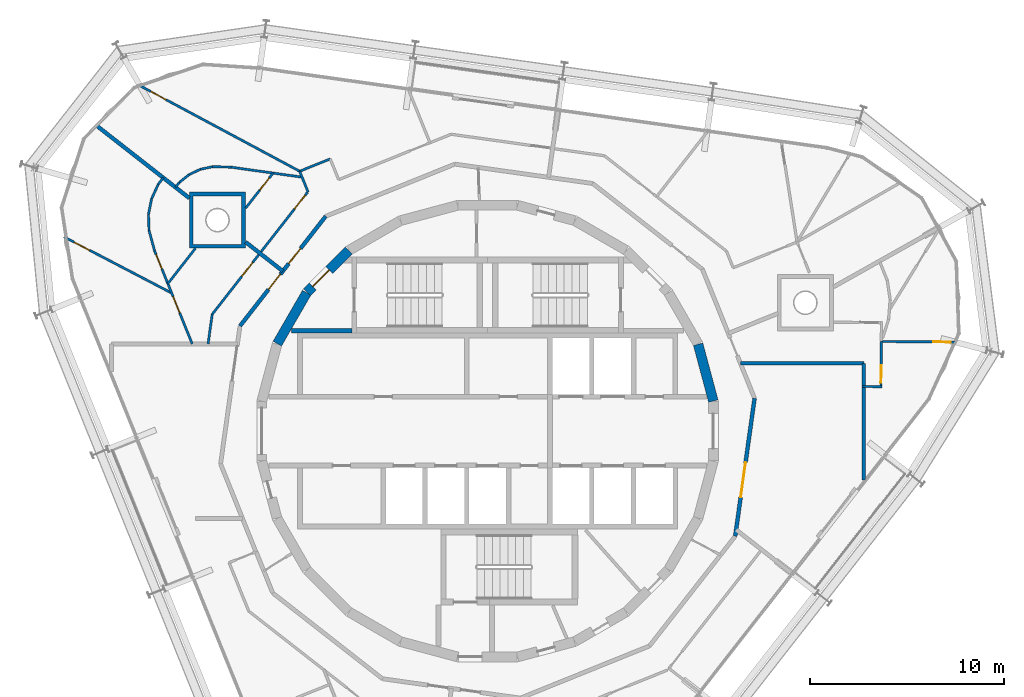
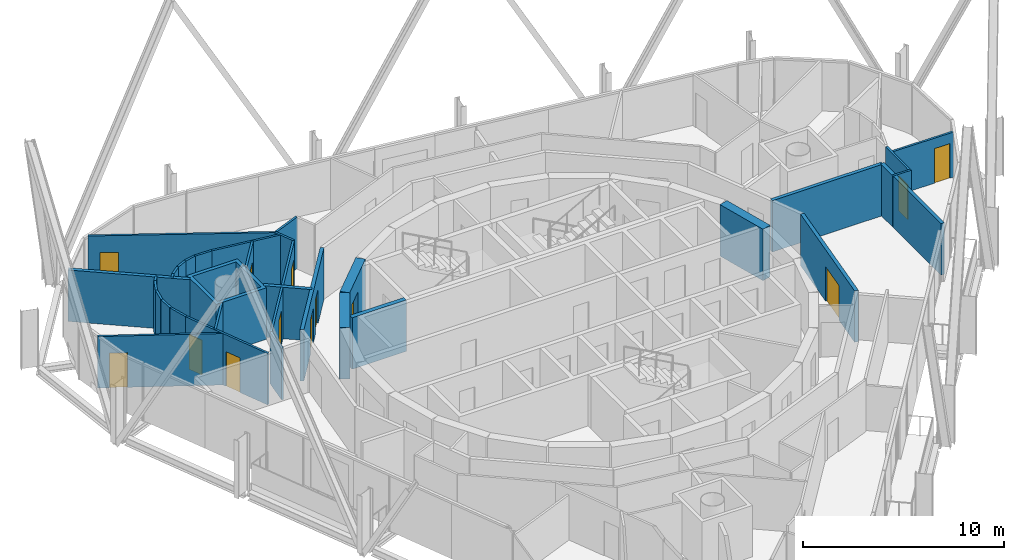
# One storey, part 12 of 15: 34 walls, 13 doors, 13 openings.
"""IFC4 building model written with IfcOpenShell, lengths in metres."""

import ifcopenshell
import ifcopenshell.guid

model = None  # the IFC model being written
_history = None  # IfcOwnerHistory: only IFC2X3 demands one
_inside = {}  # id of a spatial element -> (the spatial element, [elements in it])
_under = {}  # id of a project, library or spatial element -> (it, [spatial elements below it])
_declared = {}  # id of a project -> (the project, [libraries it declares])
_typed = {}  # id of a type object -> (the type object, [elements of that type])
_made_of = {}  # id of a material, layer set ... -> (it, [elements and type objects made of it])


def new_model(schema):
    """Start an empty IFC model of exactly this schema.

    Asked for "IFC4X3", IfcOpenShell would pick the latest addendum, in which some entities
    have other attributes; the version numbers below select the first issue.
    IFC2X3 requires an IfcOwnerHistory on every rooted entity: one is made here for all.
    """
    global model, _history
    if schema == "IFC4X3":
        model = ifcopenshell.file(schema_version=(4, 3, 0, 0))
    else:
        model = ifcopenshell.file(schema=schema)
    _inside.clear()
    _under.clear()
    _declared.clear()
    _typed.clear()
    _made_of.clear()
    _history = None
    if model.schema == "IFC2X3":
        org = make("IfcOrganization", Name="unknown")
        user = make(
            "IfcPersonAndOrganization",
            ThePerson=make("IfcPerson", FamilyName="unknown"),
            TheOrganization=org,
        )
        app = make(
            "IfcApplication",
            ApplicationDeveloper=org,
            Version="unknown",
            ApplicationFullName="unknown",
            ApplicationIdentifier="unknown",
        )
        _history = make(
            "IfcOwnerHistory",
            OwningUser=user,
            OwningApplication=app,
            ChangeAction="ADDED",
            CreationDate=0,
        )
    return model


def make(cls, **values):
    """One entity of the class cls with the attributes given. An attribute that is None is left unset."""
    return model.create_entity(
        cls, **{name: value for name, value in values.items() if value is not None}
    )


def rooted(cls, **values):
    """An entity with a GlobalId (a new one), such as an element, a storey or a relation."""
    return make(cls, GlobalId=ifcopenshell.guid.new(), OwnerHistory=_history, **values)


def si_unit(unit_type, name, prefix=None):
    """IfcSIUnit, for example si_unit("LENGTHUNIT", "METRE", prefix="MILLI")."""
    return make("IfcSIUnit", UnitType=unit_type, Prefix=prefix, Name=name)


def assignment(units):
    """IfcUnitAssignment: the units of a project."""
    return None if units is None else make("IfcUnitAssignment", Units=units)


def point(xyz):
    """IfcCartesianPoint."""
    return None if xyz is None else make("IfcCartesianPoint", Coordinates=xyz)


def direction(xyz):
    """IfcDirection."""
    return None if xyz is None else make("IfcDirection", DirectionRatios=xyz)


def frame(location, z_axis=None, x_axis=None):
    """IfcAxis2Placement3D, a coordinate frame: its origin and axes. An axis left out is left unset."""
    return make(
        "IfcAxis2Placement3D",
        Location=point(location),
        Axis=direction(z_axis),
        RefDirection=direction(x_axis),
    )


def frame_2d(location, x_axis=None):
    """IfcAxis2Placement2D, a coordinate frame in the plane: its origin and x axis."""
    return make(
        "IfcAxis2Placement2D", Location=point(location), RefDirection=direction(x_axis)
    )


def origin():
    """The frame at (0, 0, 0) with its axes left unset."""
    return frame((0.0, 0.0, 0.0))


def place(relative_to, where):
    """IfcLocalPlacement: puts the frame where relative to a parent placement (None: the world)."""
    return make(
        "IfcLocalPlacement", PlacementRelTo=relative_to, RelativePlacement=where
    )


def context(
    kind, dimensions, precision=None, world=None, true_north=None, identifier=None
):
    """IfcGeometricRepresentationContext, for example the 3D "Model" context."""
    return make(
        "IfcGeometricRepresentationContext",
        ContextIdentifier=identifier,
        ContextType=kind,
        CoordinateSpaceDimension=dimensions,
        Precision=precision,
        WorldCoordinateSystem=world,
        TrueNorth=true_north,
    )


def subcontext(parent, identifier, kind, view, scale=None):
    """IfcGeometricRepresentationSubContext, for example "Body" below "Model"."""
    return make(
        "IfcGeometricRepresentationSubContext",
        ContextIdentifier=identifier,
        ContextType=kind,
        ParentContext=parent,
        TargetScale=scale,
        TargetView=view,
    )


def project(units=None, contexts=None):
    """IfcProject with its units and contexts."""
    return rooted(
        "IfcProject",
        Name="project",
        RepresentationContexts=contexts,
        UnitsInContext=assignment(units),
    )


def spatial(cls, under=None, at=None, **own):
    """A site, building, storey or space (cls), placed at a placement, below another one or the project."""
    s = rooted(cls, ObjectPlacement=at, **own)
    if under is not None:
        _under.setdefault(under.id(), (under, []))[1].append(s)
    return s


def polyline(points):
    """IfcPolyline through the points."""
    return make("IfcPolyline", Points=[point(p) for p in points])


def profile(cls, at=None, kind="AREA", **sizes):
    """A parametric profile (cls). Its sizes go by their IFC names, for example OverallWidth=200.0."""
    return make(cls, ProfileType=kind, Position=at, **sizes)


def rectangle(**sizes):
    """IfcRectangleProfileDef."""
    return profile("IfcRectangleProfileDef", **sizes)


def outline(outer, holes=None, kind="AREA"):
    """IfcArbitraryClosedProfileDef: a profile drawn as a closed curve; with holes, ...WithVoids."""
    if holes is None:
        return make("IfcArbitraryClosedProfileDef", ProfileType=kind, OuterCurve=outer)
    return make(
        "IfcArbitraryProfileDefWithVoids",
        ProfileType=kind,
        OuterCurve=outer,
        InnerCurves=holes,
    )


def extrude(swept, where, along, depth):
    """IfcExtrudedAreaSolid: the profile swept, set in the frame where, extruded along a direction by depth."""
    return make(
        "IfcExtrudedAreaSolid",
        SweptArea=swept,
        Position=where,
        ExtrudedDirection=direction(along),
        Depth=depth,
    )


def shape(context_of_items, identifier, shape_type, items):
    """IfcShapeRepresentation: the items that make up one representation, for example the "Body"."""
    return make(
        "IfcShapeRepresentation",
        ContextOfItems=context_of_items,
        RepresentationIdentifier=identifier,
        RepresentationType=shape_type,
        Items=items,
    )


def material(Name=None, Category=None):
    """IfcMaterial."""
    return make("IfcMaterial", Name=Name, Category=Category)


def layer(
    of_material, thickness, ventilated=None, Name=None, Category=None, Priority=None
):
    """IfcMaterialLayer: one layer of a wall or slab, of a material (None: an air gap)."""
    return make(
        "IfcMaterialLayer",
        Material=of_material,
        LayerThickness=thickness,
        IsVentilated=ventilated,
        Name=Name,
        Category=Category,
        Priority=Priority,
    )


def layer_set(layers, Name=None):
    """IfcMaterialLayerSet."""
    return make("IfcMaterialLayerSet", MaterialLayers=layers, LayerSetName=Name)


def made_of(thing, what):
    """Note that an element or type object is made of a material, layer set ...; save() writes the relation."""
    if what is not None:
        _made_of.setdefault(what.id(), (what, []))[1].append(thing)
    return thing


def type_object(cls, material=None, **own):
    """A type object (cls), such as IfcWallType, which elements share."""
    return made_of(rooted(cls, **own), material)


def element(
    cls,
    number,
    at=None,
    inside=None,
    cuts=None,
    type_object=None,
    material=None,
    context=None,
    identifier="Body",
    shape_type=None,
    held_by="IfcProductDefinitionShape",
    body=None,
    shapes=None,
    **own,
):
    """One element of the class cls, such as IfcWall. Its Tag is "e" and its number.

    at: its placement. inside: the storey or other place that contains it. cuts: it is an
    opening in that element (IfcRelVoidsElement). A single representation is given by context,
    identifier, shape_type and body (its items); several are given by shapes. held_by: the class
    of the entity that holds the representations. save() writes the other relations.
    """
    e = rooted(cls, Tag="e%d" % number, ObjectPlacement=at, **own)
    if body is not None:
        shapes = [shape(context, identifier, shape_type, body)]
    if shapes is not None:
        e.Representation = make(held_by, Representations=shapes)
    if inside is not None:
        _inside.setdefault(inside.id(), (inside, []))[1].append(e)
    if cuts is not None:
        rooted(
            "IfcRelVoidsElement", RelatingBuildingElement=cuts, RelatedOpeningElement=e
        )
    if type_object is not None:
        _typed.setdefault(type_object.id(), (type_object, []))[1].append(e)
    return made_of(e, material)


def fill(opening, filler):
    """IfcRelFillsElement: the door or window that sits in an opening."""
    return rooted(
        "IfcRelFillsElement",
        RelatingOpeningElement=opening,
        RelatedBuildingElement=filler,
    )


def aggregate(whole, parts):
    """IfcRelAggregates: a whole, such as a stair, and the parts it consists of."""
    return rooted("IfcRelAggregates", RelatingObject=whole, RelatedObjects=parts)


def save(model, path):
    """Write the relations noted so far, then the file.

    IfcRelAggregates (storeys below a building ...), IfcRelContainedInSpatialStructure (elements
    in a storey), IfcRelDefinesByType, IfcRelAssociatesMaterial and IfcRelDeclares: one each for
    every whole, place, type object, material and project.
    """
    for whole, parts in _under.values():
        aggregate(whole, parts)
    for where, things in _inside.values():
        rooted(
            "IfcRelContainedInSpatialStructure",
            RelatedElements=things,
            RelatingStructure=where,
        )
    for kind, things in _typed.values():
        rooted("IfcRelDefinesByType", RelatedObjects=things, RelatingType=kind)
    for what, things in _made_of.values():
        rooted("IfcRelAssociatesMaterial", RelatedObjects=things, RelatingMaterial=what)
    for by, libraries in _declared.values():
        rooted("IfcRelDeclares", RelatingContext=by, RelatedDefinitions=libraries)
    model.write(path)


model = new_model("IFC4")

# Units and contexts
model_context = context("Model", 3, precision=1e-05, world=origin(), true_north=direction((0.0, 1.0)))
body_context = subcontext(model_context, "Body", "Model", "MODEL_VIEW")
ifc_project = project(units=[si_unit("LENGTHUNIT", "METRE"), si_unit("AREAUNIT", "SQUARE_METRE"), si_unit("VOLUMEUNIT", "CUBIC_METRE"), si_unit("PLANEANGLEUNIT", "RADIAN"), si_unit("MASSUNIT", "GRAM", prefix="KILO")], contexts=[model_context])

# Site, building, storey
site_placement = place(None, origin())
site = spatial("IfcSite", under=ifc_project, at=site_placement, CompositionType="ELEMENT")
building_placement = place(site_placement, origin())
building = spatial("IfcBuilding", under=site, at=building_placement, Name="Spindle Arch Residences", CompositionType="ELEMENT")
storey_placement = place(building_placement, frame((0.0, 0.0, 347.0)))
storey = spatial("IfcBuildingStorey", under=building, at=storey_placement, Name="L89", CompositionType="ELEMENT", Elevation=347.0)

# Wall
ifc_material_1 = material(Name="Concrete C50/60", Category="concrete")
ifc_layer_1 = layer(ifc_material_1, 0.5)
ifc_layer_set_1 = layer_set([ifc_layer_1], Name="Core outline wall 500")
wall_type_1 = type_object("IfcWallType", Name="Core outline wall 500", PredefinedType="SHEAR", material=ifc_layer_set_1)
wall_1_placement = place(storey_placement, frame((11.642822265625, 1.5498046875, 0.0), z_axis=(0.0, 0.0, 1.0), x_axis=(-0.258734743916, 0.965948410781, 0.0)))
element("IfcWall", 1, at=wall_1_placement, inside=storey, type_object=wall_type_1, Name="Core outline wall 7", PredefinedType="SHEAR", context=body_context, shape_type="SweptSolid", body=[
    extrude(rectangle(XDim=3.03271484375, YDim=0.5, at=frame_2d((1.516357421875, 0.0))), origin(), (0.0, 0.0, 1.0), 3.1201171875),
])

# Wall, opening, door
wall_2_placement = place(storey_placement, frame((-7.163818359375, 9.30810546875, 0.0), z_axis=(0.0, 0.0, 1.0), x_axis=(-0.707106781187, -0.707106781187, 0.0)))
wall_2 = element("IfcWall", 2, at=wall_2_placement, inside=storey, type_object=wall_type_1, Name="Core outline wall 15", PredefinedType="SHEAR", context=body_context, shape_type="SweptSolid", body=[
    extrude(rectangle(XDim=3.032470703125, YDim=0.5, at=frame_2d((1.51611328125, 0.0))), origin(), (0.0, 0.0, 1.0), 3.1201171875),
])
opening_1_placement = place(wall_2_placement, frame((1.416259765625, 0.0, 0.0)))
opening_1 = element("IfcOpeningElement", 3, at=opening_1_placement, cuts=wall_2, Name="Opening R9B0-AD02", PredefinedType="OPENING", context=body_context, shape_type="SweptSolid", body=[
    extrude(rectangle(XDim=1.199951171875, YDim=2.10009765625, at=frame_2d((0.60009765625, 1.050048828125))), frame((0.0, 0.260009765625, 0.0), z_axis=(0.0, -1.0, 0.0), x_axis=(1.0, 0.0, 0.0)), (0.0, 0.0, 1.0), 0.52001953125),
])
ifc_material_2 = material(Name="Steel, fire-resisting door", Category="steel")
door_type_1 = type_object("IfcDoorType", Name="Stair airlock door 1200x2100", OperationType="SINGLE_SWING_LEFT", PredefinedType="DOOR", material=ifc_material_2)
door_1_placement = place(opening_1_placement, origin())
door_1 = element("IfcDoor", 4, at=door_1_placement, inside=storey, type_object=door_type_1, Name="Stair airlock door R9B0-AD02", OperationType="SINGLE_SWING_RIGHT", OverallHeight=2.10009765625, OverallWidth=1.199951171875, PredefinedType="DOOR", context=body_context, shape_type="SweptSolid", body=[
    extrude(rectangle(XDim=1.199951171875, YDim=2.10009765625, at=frame_2d((0.60009765625, 1.050048828125))), frame((0.0, 0.02490234375, 0.0), z_axis=(0.0, -1.0, 0.0), x_axis=(1.0, 0.0, 0.0)), (0.0, 0.0, 1.0), 0.050048828125),
])
fill(opening_1, door_1)

# Wall
wall_3_placement = place(storey_placement, frame((-9.32861328125, 7.13671875, 0.0), z_axis=(0.0, 0.0, 1.0), x_axis=(-0.500087131594, -0.865975092491, 0.0)))
element("IfcWall", 5, at=wall_3_placement, inside=storey, type_object=wall_type_1, Name="Core outline wall 16", PredefinedType="SHEAR", context=body_context, shape_type="SweptSolid", body=[
    extrude(rectangle(XDim=3.03271484375, YDim=0.5, at=frame_2d((1.516357421875, 0.0))), origin(), (0.0, 0.0, 1.0), 3.1201171875),
])

# Wall, openings, doors
ifc_material_3 = material(Name="Calcium silicate block, plastered")
ifc_layer_2 = layer(ifc_material_3, 0.199951171875)
ifc_layer_set_2 = layer_set([ifc_layer_2], Name="Corridor wall 200")
wall_type_2 = type_object("IfcWallType", Name="Corridor wall 200", PredefinedType="STANDARD", material=ifc_layer_set_2)
wall_4_placement = place(storey_placement, frame((-8.348876953125, 11.0791015625, 0.0), z_axis=(0.0, 0.0, 1.0), x_axis=(-0.615669112324, -0.78800478687, 0.0)))
wall_4 = element("IfcWall", 6, at=wall_4_placement, inside=storey, type_object=wall_type_2, Name="Corridor wall R9B0-W012", PredefinedType="STANDARD", context=body_context, shape_type="SweptSolid", body=[
    extrude(rectangle(XDim=7.18115234375, YDim=0.199951171875, at=frame_2d((3.590576171875, 0.0))), origin(), (0.0, 0.0, 1.0), 3.1201171875),
])
opening_2_placement = place(wall_4_placement, frame((2.10009765625, 0.0, 0.0)))
opening_2 = element("IfcOpeningElement", 7, at=opening_2_placement, cuts=wall_4, Name="Opening R9B0-FD03", PredefinedType="OPENING", context=body_context, shape_type="SweptSolid", body=[
    extrude(rectangle(XDim=1.0, YDim=2.10009765625, at=frame_2d((0.5, 1.050048828125))), frame((0.0, 0.10986328125, 0.0), z_axis=(0.0, -1.0, 0.0), x_axis=(1.0, 0.0, 0.0)), (0.0, 0.0, 1.0), 0.219970703125),
])
opening_3_placement = place(wall_4_placement, frame((3.790283203125, 0.0, 0.0)))
opening_3 = element("IfcOpeningElement", 8, at=opening_3_placement, cuts=wall_4, Name="Opening R9B0-FD04", PredefinedType="OPENING", context=body_context, shape_type="SweptSolid", body=[
    extrude(rectangle(XDim=1.0, YDim=2.10009765625, at=frame_2d((0.5, 1.050048828125))), frame((0.0, 0.10986328125, 0.0), z_axis=(0.0, -1.0, 0.0), x_axis=(1.0, 0.0, 0.0)), (0.0, 0.0, 1.0), 0.219970703125),
])
ifc_material_4 = material(Name="Timber, fire-resisting door set", Category="wood")
door_type_2 = type_object("IfcDoorType", Name="Flat entrance door 1000x2100", OperationType="NOTDEFINED", PredefinedType="DOOR", material=ifc_material_4)
door_2_placement = place(opening_2_placement, origin())
door_2 = element("IfcDoor", 9, at=door_2_placement, inside=storey, type_object=door_type_2, Name="Flat entrance door R9B0-FD03", OperationType="SINGLE_SWING_RIGHT", OverallHeight=2.10009765625, OverallWidth=1.0, PredefinedType="DOOR", context=body_context, shape_type="SweptSolid", body=[
    extrude(rectangle(XDim=1.0, YDim=2.10009765625, at=frame_2d((0.5, 1.050048828125))), frame((0.0, 0.02490234375, 0.0), z_axis=(0.0, -1.0, 0.0), x_axis=(1.0, 0.0, 0.0)), (0.0, 0.0, 1.0), 0.050048828125),
])
fill(opening_2, door_2)
door_3_placement = place(opening_3_placement, origin())
door_3 = element("IfcDoor", 10, at=door_3_placement, inside=storey, type_object=door_type_2, Name="Flat entrance door R9B0-FD04", OperationType="SINGLE_SWING_LEFT", OverallHeight=2.10009765625, OverallWidth=1.0, PredefinedType="DOOR", context=body_context, shape_type="SweptSolid", body=[
    extrude(rectangle(XDim=1.0, YDim=2.10009765625, at=frame_2d((0.5, 1.050048828125))), frame((0.0, 0.02490234375, 0.0), z_axis=(0.0, -1.0, 0.0), x_axis=(1.0, 0.0, 0.0)), (0.0, 0.0, 1.0), 0.050048828125),
])
fill(opening_3, door_3)

# Wall, opening, door
ifc_material_5 = material(Name="Calcium silicate block, plastered")
ifc_layer_3 = layer(ifc_material_5, 0.199951171875)
ifc_layer_set_3 = layer_set([ifc_layer_3], Name="Fire-lift lobby bay wall 200")
wall_type_3 = type_object("IfcWallType", Name="Fire-lift lobby bay wall 200", PredefinedType="STANDARD", material=ifc_layer_set_3)
wall_5_placement = place(storey_placement, frame((12.77001953125, -5.42041015625, 0.0), z_axis=(0.0, 0.0, 1.0), x_axis=(0.139155334385, 0.990270565508, 0.0)))
wall_5 = element("IfcWall", 11, at=wall_5_placement, inside=storey, type_object=wall_type_3, Name="Fire-lift lobby bay wall R9B0-W004", PredefinedType="STANDARD", context=body_context, shape_type="SweptSolid", body=[
    extrude(rectangle(XDim=7.180908203125, YDim=0.199951171875, at=frame_2d((3.59033203125, 0.0))), origin(), (0.0, 0.0, 1.0), 3.1201171875),
])
opening_4_placement = place(wall_5_placement, frame((2.039306640625, 0.0, 0.0)))
opening_4 = element("IfcOpeningElement", 12, at=opening_4_placement, cuts=wall_5, Name="Opening R9B0-FB01", PredefinedType="OPENING", context=body_context, shape_type="SweptSolid", body=[
    extrude(rectangle(XDim=1.800048828125, YDim=2.10009765625, at=frame_2d((0.89990234375, 1.050048828125))), frame((0.0, 0.10986328125, 0.0), z_axis=(0.0, -1.0, 0.0), x_axis=(1.0, 0.0, 0.0)), (0.0, 0.0, 1.0), 0.219970703125),
])
ifc_material_6 = material(Name="Steel, fire-resisting door", Category="steel")
door_type_3 = type_object("IfcDoorType", Name="Fire-lift lobby bay door 1800x2100", OperationType="NOTDEFINED", PredefinedType="DOOR", material=ifc_material_6)
door_4_placement = place(opening_4_placement, origin())
door_4 = element("IfcDoor", 13, at=door_4_placement, inside=storey, type_object=door_type_3, Name="Fire-lift lobby bay door R9B0-FB01", OperationType="DOUBLE_DOOR_SINGLE_SWING", OverallHeight=2.10009765625, OverallWidth=1.800048828125, PredefinedType="DOOR", context=body_context, shape_type="SweptSolid", body=[
    extrude(rectangle(XDim=1.800048828125, YDim=2.10009765625, at=frame_2d((0.89990234375, 1.050048828125))), frame((0.0, 0.02490234375, 0.0), z_axis=(0.0, -1.0, 0.0), x_axis=(1.0, 0.0, 0.0)), (0.0, 0.0, 1.0), 0.050048828125),
])
fill(opening_4, door_4)

# Walls
wall_6_placement = place(storey_placement, frame((19.39990234375, -2.519287109375, 0.0), z_axis=(0.0, 0.0, 1.0), x_axis=(0.0, 1.0, 0.0)))
element("IfcWall", 14, at=wall_6_placement, inside=storey, type_object=wall_type_3, Name="Fire-lift lobby bay wall R9B0-W020", PredefinedType="STANDARD", context=body_context, shape_type="SweptSolid", body=[
    extrude(rectangle(XDim=6.019287109375, YDim=0.199951171875, at=frame_2d((3.009765625, 0.0))), origin(), (0.0, 0.0, 1.0), 3.1201171875),
])
wall_7_placement = place(storey_placement, frame((19.39990234375, 3.5, 0.0), z_axis=(0.0, 0.0, 1.0), x_axis=(-1.0, 0.0, 0.0)))
element("IfcWall", 15, at=wall_7_placement, inside=storey, type_object=wall_type_3, Name="Fire-lift lobby bay wall R9B0-W021", PredefinedType="STANDARD", context=body_context, shape_type="SweptSolid", body=[
    extrude(rectangle(XDim=6.361572265625, YDim=0.199951171875, at=frame_2d((3.1806640625, 0.0))), origin(), (0.0, 0.0, 1.0), 3.1201171875),
])
ifc_material_7 = material(Name="Plasterboard on steel studs", Category="steel")
ifc_layer_4 = layer(ifc_material_7, 0.1201171875)
ifc_layer_set_4 = layer_set([ifc_layer_4], Name="Flat partition 120")
wall_type_4 = type_object("IfcWallType", Name="Flat partition 120", PredefinedType="PARTITIONING", material=ifc_layer_set_4)
wall_8_placement = place(storey_placement, frame((19.300048828125, 2.302001953125, 0.0), z_axis=(0.0, 0.0, 1.0), x_axis=(0.999958506341, -0.009109643015, 0.0)))
element("IfcWall", 16, at=wall_8_placement, inside=storey, type_object=wall_type_4, Name="Flat partition R9B0-W031", PredefinedType="PARTITIONING", context=body_context, shape_type="SweptSolid", body=[
    extrude(rectangle(XDim=1.045166015625, YDim=0.1201171875, at=frame_2d((0.5224609375, 0.0))), origin(), (0.0, 0.0, 1.0), 3.1201171875),
])

# Wall, opening, door
wall_9_placement = place(storey_placement, frame((20.285400390625, 2.29296875, 0.0), z_axis=(0.0, 0.0, 1.0), x_axis=(0.008900171034, 0.999960392693, 0.0)))
wall_9 = element("IfcWall", 17, at=wall_9_placement, inside=storey, type_object=wall_type_4, Name="Flat partition R9B0-W032", PredefinedType="PARTITIONING", context=body_context, shape_type="SweptSolid", body=[
    extrude(rectangle(XDim=2.33154296875, YDim=0.1201171875, at=frame_2d((1.165771484375, 0.0))), origin(), (0.0, 0.0, 1.0), 3.1201171875),
])
opening_5_placement = place(wall_9_placement, frame((0.199951171875, 0.0, 0.0)))
opening_5 = element("IfcOpeningElement", 18, at=opening_5_placement, cuts=wall_9, Name="Opening R9B0-ID01", PredefinedType="OPENING", context=body_context, shape_type="SweptSolid", body=[
    extrude(rectangle(XDim=0.89990234375, YDim=2.10009765625, at=frame_2d((0.449951171875, 1.050048828125))), frame((0.0, 0.070068359375, 0.0), z_axis=(0.0, -1.0, 0.0), x_axis=(1.0, 0.0, 0.0)), (0.0, 0.0, 1.0), 0.14013671875),
])
ifc_material_8 = material(Name="Timber door set", Category="wood")
door_type_4 = type_object("IfcDoorType", Name="Room door 900x2100", OperationType="NOTDEFINED", PredefinedType="DOOR", material=ifc_material_8)
door_5_placement = place(opening_5_placement, origin())
door_5 = element("IfcDoor", 19, at=door_5_placement, inside=storey, type_object=door_type_4, Name="Room door R9B0-ID01", OperationType="SINGLE_SWING_RIGHT", OverallHeight=2.10009765625, OverallWidth=0.89990234375, PredefinedType="DOOR", context=body_context, shape_type="SweptSolid", body=[
    extrude(rectangle(XDim=0.89990234375, YDim=2.10009765625, at=frame_2d((0.449951171875, 1.050048828125))), frame((0.0, 0.02490234375, 0.0), z_axis=(0.0, -1.0, 0.0), x_axis=(1.0, 0.0, 0.0)), (0.0, 0.0, 1.0), 0.050048828125),
])
fill(opening_5, door_5)

# Walls
wall_10_placement = place(storey_placement, frame((-8.114501953125, 14.03857421875, 0.0), z_axis=(0.0, 0.0, 1.0), x_axis=(-0.927153589835, -0.374681492546, 0.0)))
element("IfcWall", 20, at=wall_10_placement, inside=storey, type_object=wall_type_4, Name="Flat partition R9B0-W052", PredefinedType="PARTITIONING", context=body_context, shape_type="SweptSolid", body=[
    extrude(rectangle(XDim=1.699951171875, YDim=0.1201171875, at=frame_2d((0.85009765625, 0.0))), origin(), (0.0, 0.0, 1.0), 3.1201171875),
])
wall_11_placement = place(storey_placement, frame((-9.690673828125, 13.401611328125, 0.0), z_axis=(0.0, 0.0, 1.0), x_axis=(0.374484003097, -0.927233374844, 0.0)))
element("IfcWall", 21, at=wall_11_placement, inside=storey, type_object=wall_type_4, Name="Flat partition R9B0-W053", PredefinedType="PARTITIONING", context=body_context, shape_type="SweptSolid", body=[
    extrude(rectangle(XDim=1.156005859375, YDim=0.1201171875, at=frame_2d((0.578125, 0.0))), origin(), (0.0, 0.0, 1.0), 3.1201171875),
])

# Wall, openings, doors
wall_12_placement = place(storey_placement, frame((-9.283447265625, 12.3193359375, 0.0), z_axis=(0.0, 0.0, 1.0), x_axis=(-0.61567489546, -0.788000268464, 0.0)))
wall_12 = element("IfcWall", 22, at=wall_12_placement, inside=storey, type_object=wall_type_4, Name="Flat partition R9B0-W054", PredefinedType="PARTITIONING", context=body_context, shape_type="SweptSolid", body=[
    extrude(rectangle(XDim=7.98486328125, YDim=0.1201171875, at=frame_2d((3.992431640625, 0.0))), origin(), (0.0, 0.0, 1.0), 3.1201171875),
])
opening_6_placement = place(wall_12_placement, frame((0.199951171875, 0.0, 0.0)))
opening_6 = element("IfcOpeningElement", 23, at=opening_6_placement, cuts=wall_12, Name="Opening R9B0-ID10", PredefinedType="OPENING", context=body_context, shape_type="SweptSolid", body=[
    extrude(rectangle(XDim=0.89990234375, YDim=2.10009765625, at=frame_2d((0.449951171875, 1.050048828125))), frame((0.0, 0.070068359375, 0.0), z_axis=(0.0, -1.0, 0.0), x_axis=(1.0, 0.0, 0.0)), (0.0, 0.0, 1.0), 0.14013671875),
])
opening_7_placement = place(wall_12_placement, frame((4.59228515625, 0.0, 0.0)))
opening_7 = element("IfcOpeningElement", 24, at=opening_7_placement, cuts=wall_12, Name="Opening R9B0-ID12", PredefinedType="OPENING", context=body_context, shape_type="SweptSolid", body=[
    extrude(rectangle(XDim=0.89990234375, YDim=2.10009765625, at=frame_2d((0.449951171875, 1.050048828125))), frame((0.0, 0.070068359375, 0.0), z_axis=(0.0, -1.0, 0.0), x_axis=(1.0, 0.0, 0.0)), (0.0, 0.0, 1.0), 0.14013671875),
])
door_6_placement = place(opening_6_placement, origin())
door_6 = element("IfcDoor", 25, at=door_6_placement, inside=storey, type_object=door_type_4, Name="Room door R9B0-ID10", OperationType="SINGLE_SWING_RIGHT", OverallHeight=2.10009765625, OverallWidth=0.89990234375, PredefinedType="DOOR", context=body_context, shape_type="SweptSolid", body=[
    extrude(rectangle(XDim=0.89990234375, YDim=2.10009765625, at=frame_2d((0.449951171875, 1.050048828125))), frame((0.0, 0.02490234375, 0.0), z_axis=(0.0, -1.0, 0.0), x_axis=(1.0, 0.0, 0.0)), (0.0, 0.0, 1.0), 0.050048828125),
])
fill(opening_6, door_6)
door_7_placement = place(opening_7_placement, origin())
door_7 = element("IfcDoor", 26, at=door_7_placement, inside=storey, type_object=door_type_4, Name="Room door R9B0-ID12", OperationType="SINGLE_SWING_LEFT", OverallHeight=2.10009765625, OverallWidth=0.89990234375, PredefinedType="DOOR", context=body_context, shape_type="SweptSolid", body=[
    extrude(rectangle(XDim=0.89990234375, YDim=2.10009765625, at=frame_2d((0.449951171875, 1.050048828125))), frame((0.0, 0.02490234375, 0.0), z_axis=(0.0, -1.0, 0.0), x_axis=(1.0, 0.0, 0.0)), (0.0, 0.0, 1.0), 0.050048828125),
])
fill(opening_7, door_7)

# Wall, opening, door
wall_13_placement = place(storey_placement, frame((-17.895751953125, 17.796630859375, 0.0), z_axis=(0.0, 0.0, 1.0), x_axis=(0.88150492406, -0.4721748287, 0.0)))
wall_13 = element("IfcWall", 27, at=wall_13_placement, inside=storey, type_object=wall_type_4, Name="Flat partition R9B0-W056", PredefinedType="PARTITIONING", context=body_context, shape_type="SweptSolid", body=[
    extrude(rectangle(XDim=9.30810546875, YDim=0.1201171875, at=frame_2d((4.654052734375, 0.0))), origin(), (0.0, 0.0, 1.0), 3.1201171875),
])
opening_8_placement = place(wall_13_placement, frame((0.60009765625, 0.0, 0.0)))
opening_8 = element("IfcOpeningElement", 28, at=opening_8_placement, cuts=wall_13, Name="Opening R9B0-ID11", PredefinedType="OPENING", context=body_context, shape_type="SweptSolid", body=[
    extrude(rectangle(XDim=0.89990234375, YDim=2.10009765625, at=frame_2d((0.449951171875, 1.050048828125))), frame((0.0, 0.070068359375, 0.0), z_axis=(0.0, -1.0, 0.0), x_axis=(1.0, 0.0, 0.0)), (0.0, 0.0, 1.0), 0.14013671875),
])
door_8_placement = place(opening_8_placement, origin())
door_8 = element("IfcDoor", 29, at=door_8_placement, inside=storey, type_object=door_type_4, Name="Room door R9B0-ID11", OperationType="SINGLE_SWING_RIGHT", OverallHeight=2.10009765625, OverallWidth=0.89990234375, PredefinedType="DOOR", context=body_context, shape_type="SweptSolid", body=[
    extrude(rectangle(XDim=0.89990234375, YDim=2.10009765625, at=frame_2d((0.449951171875, 1.050048828125))), frame((0.0, 0.02490234375, 0.0), z_axis=(0.0, -1.0, 0.0), x_axis=(1.0, 0.0, 0.0)), (0.0, 0.0, 1.0), 0.050048828125),
])
fill(opening_8, door_8)

wall_14_placement = place(storey_placement, frame((-11.063720703125, 13.3076171875, 0.0), z_axis=(0.0, 0.0, 1.0), x_axis=(-0.615681126827, -0.787995399777, 0.0)))
wall_14 = element("IfcWall", 30, at=wall_14_placement, inside=storey, type_object=wall_type_4, Name="Flat partition R9B0-W057", PredefinedType="PARTITIONING", context=body_context, shape_type="SweptSolid", body=[
    extrude(rectangle(XDim=2.299560546875, YDim=0.1201171875, at=frame_2d((1.14990234375, 0.0))), origin(), (0.0, 0.0, 1.0), 3.1201171875),
])
opening_9_placement = place(wall_14_placement, frame((0.320068359375, 0.0, 0.0)))
opening_9 = element("IfcOpeningElement", 31, at=opening_9_placement, cuts=wall_14, Name="Opening R9B0-BD03", PredefinedType="OPENING", context=body_context, shape_type="SweptSolid", body=[
    extrude(rectangle(XDim=0.800048828125, YDim=2.10009765625, at=frame_2d((0.39990234375, 1.050048828125))), frame((0.0, 0.070068359375, 0.0), z_axis=(0.0, -1.0, 0.0), x_axis=(1.0, 0.0, 0.0)), (0.0, 0.0, 1.0), 0.14013671875),
])
ifc_material_9 = material(Name="Timber door set", Category="wood")
door_type_5 = type_object("IfcDoorType", Name="Bathroom door 800x2100", OperationType="NOTDEFINED", PredefinedType="DOOR", material=ifc_material_9)
door_9_placement = place(opening_9_placement, origin())
door_9 = element("IfcDoor", 32, at=door_9_placement, inside=storey, type_object=door_type_5, Name="Bathroom door R9B0-BD03", OperationType="SINGLE_SWING_RIGHT", OverallHeight=2.10009765625, OverallWidth=0.800048828125, PredefinedType="DOOR", context=body_context, shape_type="SweptSolid", body=[
    extrude(rectangle(XDim=0.800048828125, YDim=2.10009765625, at=frame_2d((0.39990234375, 1.050048828125))), frame((0.0, 0.02490234375, 0.0), z_axis=(0.0, -1.0, 0.0), x_axis=(1.0, 0.0, 0.0)), (0.0, 0.0, 1.0), 0.050048828125),
])
fill(opening_9, door_9)

# Walls
wall_15_placement = place(storey_placement, frame((-9.56787109375, 13.097412109375, 0.0), z_axis=(0.0, 0.0, 1.0), x_axis=(-0.990266931728, 0.13918119099, 0.0)))
element("IfcWall", 33, at=wall_15_placement, inside=storey, type_object=wall_type_4, Name="Flat partition R9B0-W058", PredefinedType="PARTITIONING", context=body_context, shape_type="SweptSolid", body=[
    extrude(rectangle(XDim=3.708251953125, YDim=0.1201171875, at=frame_2d((1.85400390625, 0.0))), origin(), (0.0, 0.0, 1.0), 3.1201171875),
])
wall_16_placement = place(storey_placement, frame((-13.239990234375, 13.613525390625, 0.0), z_axis=(0.0, 0.0, 1.0), x_axis=(-0.999730529074, 0.023213557177, 0.0)))
element("IfcWall", 34, at=wall_16_placement, inside=storey, type_object=wall_type_4, Name="Flat partition R9B0-W059", PredefinedType="PARTITIONING", context=body_context, shape_type="SweptSolid", body=[
    extrude(rectangle(XDim=0.946533203125, YDim=0.1201171875, at=frame_2d((0.47314453125, 0.0))), origin(), (0.0, 0.0, 1.0), 3.1201171875),
])
wall_17_placement = place(storey_placement, frame((-14.186279296875, 13.635498046875, 0.0), z_axis=(0.0, 0.0, 1.0), x_axis=(-0.978217752025, -0.207581380725, 0.0)))
element("IfcWall", 35, at=wall_17_placement, inside=storey, type_object=wall_type_4, Name="Flat partition R9B0-W060", PredefinedType="PARTITIONING", context=body_context, shape_type="SweptSolid", body=[
    extrude(rectangle(XDim=0.64208984375, YDim=0.1201171875, at=frame_2d((0.321044921875, 0.0))), origin(), (0.0, 0.0, 1.0), 3.1201171875),
])
for number, where, z_axis, x_axis, name in (
    (36, (-14.814453125, 13.502197265625, 0.0), (0.0, 0.0, 1.0), (-0.903660381662, -0.428249827337, 0.0), "Flat partition R9B0-W061"),
    (37, (-15.39453125, 13.227294921875, 0.0), (0.0, 0.0, 1.0), (-0.780943026594, -0.624602264816, 0.0), "Flat partition R9B0-W062"),
):
    element("IfcWall", number, at=place(storey_placement, frame(where, z_axis=z_axis, x_axis=x_axis)), inside=storey, type_object=wall_type_4, Name=name, PredefinedType="PARTITIONING", context=body_context, shape_type="SweptSolid", body=[
        extrude(rectangle(XDim=0.641845703125, YDim=0.1201171875, at=frame_2d((0.32080078125, 0.0))), origin(), (0.0, 0.0, 1.0), 3.1201171875),
    ])
wall_18_placement = place(storey_placement, frame((-15.895751953125, 12.826416015625, 0.0), z_axis=(0.0, 0.0, 1.0), x_axis=(-0.615466865985, -0.788162760396, 0.0)))
element("IfcWall", 38, at=wall_18_placement, inside=storey, type_object=wall_type_4, Name="Flat partition R9B0-W063", PredefinedType="PARTITIONING", context=body_context, shape_type="SweptSolid", body=[
    extrude(rectangle(XDim=0.32080078125, YDim=0.1201171875, at=frame_2d((0.160400390625, 0.0))), origin(), (0.0, 0.0, 1.0), 3.1201171875),
])
wall_19_placement = place(storey_placement, frame((-14.199462890625, 6.02734375, 0.0), z_axis=(0.0, 0.0, 1.0), x_axis=(-0.139138413837, -0.990272943079, 0.0)))
element("IfcWall", 39, at=wall_19_placement, inside=storey, type_object=wall_type_4, Name="Flat partition R9B0-W064", PredefinedType="PARTITIONING", context=body_context, shape_type="SweptSolid", body=[
    extrude(rectangle(XDim=1.542236328125, YDim=0.1201171875, at=frame_2d((0.77099609375, 0.0))), origin(), (0.0, 0.0, 1.0), 3.1201171875),
])
wall_20_placement = place(storey_placement, frame((-16.7236328125, 13.066162109375, 0.0), z_axis=(0.0, 0.0, 1.0), x_axis=(-0.615895388651, -0.787827944565, 0.0)))
element("IfcWall", 40, at=wall_20_placement, inside=storey, type_object=wall_type_4, Name="Flat partition R9B0-W065", PredefinedType="PARTITIONING", context=body_context, shape_type="SweptSolid", body=[
    extrude(rectangle(XDim=0.41455078125, YDim=0.1201171875, at=frame_2d((0.207275390625, 0.0))), origin(), (0.0, 0.0, 1.0), 3.1201171875),
])
for number, where, z_axis, x_axis, name in (
    (41, (-16.97900390625, 12.739501953125, 0.0), (0.0, 0.0, 1.0), (-0.417040041866, -0.90888811384, 0.0), "Flat partition R9B0-W066"),
    (42, (-17.32470703125, 11.986083984375, 0.0), (0.0, 0.0, 1.0), (-0.196739117864, -0.980455873307, 0.0), "Flat partition R9B0-W067"),
    (43, (-17.48779296875, 11.17333984375, 0.0), (0.0, 0.0, 1.0), (0.03505065691, -0.999385536943, 0.0), "Flat partition R9B0-W068"),
):
    element("IfcWall", number, at=place(storey_placement, frame(where, z_axis=z_axis, x_axis=x_axis)), inside=storey, type_object=wall_type_4, Name=name, PredefinedType="PARTITIONING", context=body_context, shape_type="SweptSolid", body=[
        extrude(rectangle(XDim=0.828857421875, YDim=0.1201171875, at=frame_2d((0.41455078125, 0.0))), origin(), (0.0, 0.0, 1.0), 3.1201171875),
    ])
wall_21_placement = place(storey_placement, frame((-17.458740234375, 10.344970703125, 0.0), z_axis=(0.0, 0.0, 1.0), x_axis=(0.264409755069, -0.964410432038, 0.0)))
element("IfcWall", 44, at=wall_21_placement, inside=storey, type_object=wall_type_4, Name="Flat partition R9B0-W069", PredefinedType="PARTITIONING", context=body_context, shape_type="SweptSolid", body=[
    extrude(rectangle(XDim=1.086669921875, YDim=0.1201171875, at=frame_2d((0.54345703125, 0.0))), origin(), (0.0, 0.0, 1.0), 3.1201171875),
])

# Wall, openings, doors
wall_22_placement = place(storey_placement, frame((-17.17138671875, 9.296875, 0.0), z_axis=(0.0, 0.0, 1.0), x_axis=(0.374594127493, -0.927188891029, 0.0)))
wall_22 = element("IfcWall", 45, at=wall_22_placement, inside=storey, type_object=wall_type_4, Name="Flat partition R9B0-W070", PredefinedType="PARTITIONING", context=body_context, shape_type="SweptSolid", body=[
    extrude(rectangle(XDim=5.173583984375, YDim=0.1201171875, at=frame_2d((2.5869140625, 0.0))), origin(), (0.0, 0.0, 1.0), 3.1201171875),
])
opening_10_placement = place(wall_22_placement, frame((2.548095703125, 0.0, 0.0)))
opening_10 = element("IfcOpeningElement", 46, at=opening_10_placement, cuts=wall_22, Name="Opening R9B0-ID13", PredefinedType="OPENING", context=body_context, shape_type="SweptSolid", body=[
    extrude(rectangle(XDim=0.89990234375, YDim=2.10009765625, at=frame_2d((0.449951171875, 1.050048828125))), frame((0.0, 0.070068359375, 0.0), z_axis=(0.0, -1.0, 0.0), x_axis=(1.0, 0.0, 0.0)), (0.0, 0.0, 1.0), 0.14013671875),
])
opening_11_placement = place(wall_22_placement, frame((0.199951171875, 0.0, 0.0)))
opening_11 = element("IfcOpeningElement", 47, at=opening_11_placement, cuts=wall_22, Name="Opening R9B0-BD04", PredefinedType="OPENING", context=body_context, shape_type="SweptSolid", body=[
    extrude(rectangle(XDim=0.800048828125, YDim=2.10009765625, at=frame_2d((0.39990234375, 1.050048828125))), frame((0.0, 0.070068359375, 0.0), z_axis=(0.0, -1.0, 0.0), x_axis=(1.0, 0.0, 0.0)), (0.0, 0.0, 1.0), 0.14013671875),
])
door_10_placement = place(opening_11_placement, origin())
door_10 = element("IfcDoor", 48, at=door_10_placement, inside=storey, type_object=door_type_5, Name="Bathroom door R9B0-BD04", OperationType="SINGLE_SWING_RIGHT", OverallHeight=2.10009765625, OverallWidth=0.800048828125, PredefinedType="DOOR", context=body_context, shape_type="SweptSolid", body=[
    extrude(rectangle(XDim=0.800048828125, YDim=2.10009765625, at=frame_2d((0.39990234375, 1.050048828125))), frame((0.0, 0.02490234375, 0.0), z_axis=(0.0, -1.0, 0.0), x_axis=(1.0, 0.0, 0.0)), (0.0, 0.0, 1.0), 0.050048828125),
])
fill(opening_11, door_10)
door_11_placement = place(opening_10_placement, origin())
door_11 = element("IfcDoor", 49, at=door_11_placement, inside=storey, type_object=door_type_4, Name="Room door R9B0-ID13", OperationType="SINGLE_SWING_LEFT", OverallHeight=2.10009765625, OverallWidth=0.89990234375, PredefinedType="DOOR", context=body_context, shape_type="SweptSolid", body=[
    extrude(rectangle(XDim=0.89990234375, YDim=2.10009765625, at=frame_2d((0.449951171875, 1.050048828125))), frame((0.0, 0.02490234375, 0.0), z_axis=(0.0, -1.0, 0.0), x_axis=(1.0, 0.0, 0.0)), (0.0, 0.0, 1.0), 0.050048828125),
])
fill(opening_10, door_11)

# Wall
wall_23_placement = place(storey_placement, frame((-16.48828125, 7.606201171875, 0.0), z_axis=(0.0, 0.0, 1.0), x_axis=(0.615637911154, 0.788029163388, 0.0)))
element("IfcWall", 50, at=wall_23_placement, inside=storey, type_object=wall_type_4, Name="Flat partition R9B0-W071", PredefinedType="PARTITIONING", context=body_context, shape_type="SweptSolid", body=[
    extrude(rectangle(XDim=2.318359375, YDim=0.1201171875, at=frame_2d((1.1591796875, 0.0))), origin(), (0.0, 0.0, 1.0), 3.1201171875),
])

# Wall, opening, door
wall_24_placement = place(storey_placement, frame((-21.85009765625, 10.021240234375, 0.0), z_axis=(0.0, 0.0, 1.0), x_axis=(0.886479988406, -0.462766928546, 0.0)))
wall_24 = element("IfcWall", 51, at=wall_24_placement, inside=storey, type_object=wall_type_4, Name="Flat partition R9B0-W072", PredefinedType="PARTITIONING", context=body_context, shape_type="SweptSolid", body=[
    extrude(rectangle(XDim=6.27001953125, YDim=0.1201171875, at=frame_2d((3.135009765625, 0.0))), origin(), (0.0, 0.0, 1.0), 3.1201171875),
])
opening_12_placement = place(wall_24_placement, frame((0.60009765625, 0.0, 0.0)))
opening_12 = element("IfcOpeningElement", 52, at=opening_12_placement, cuts=wall_24, Name="Opening R9B0-ID14", PredefinedType="OPENING", context=body_context, shape_type="SweptSolid", body=[
    extrude(rectangle(XDim=0.89990234375, YDim=2.10009765625, at=frame_2d((0.449951171875, 1.050048828125))), frame((0.0, 0.070068359375, 0.0), z_axis=(0.0, -1.0, 0.0), x_axis=(1.0, 0.0, 0.0)), (0.0, 0.0, 1.0), 0.14013671875),
])
door_12_placement = place(opening_12_placement, origin())
door_12 = element("IfcDoor", 53, at=door_12_placement, inside=storey, type_object=door_type_4, Name="Room door R9B0-ID14", OperationType="SINGLE_SWING_LEFT", OverallHeight=2.10009765625, OverallWidth=0.89990234375, PredefinedType="DOOR", context=body_context, shape_type="SweptSolid", body=[
    extrude(rectangle(XDim=0.89990234375, YDim=2.10009765625, at=frame_2d((0.449951171875, 1.050048828125))), frame((0.0, 0.02490234375, 0.0), z_axis=(0.0, -1.0, 0.0), x_axis=(1.0, 0.0, 0.0)), (0.0, 0.0, 1.0), 0.050048828125),
])
fill(opening_12, door_12)

ifc_material_10 = material(Name="Plasterboard on steel studs", Category="steel")
ifc_layer_5 = layer(ifc_material_10, 0.1201171875)
ifc_layer_set_5 = layer_set([ifc_layer_5], Name="Flat partition 120 under beam 2730")
wall_type_5 = type_object("IfcWallType", Name="Flat partition 120 under beam 2730", PredefinedType="PARTITIONING", material=ifc_layer_set_5)
wall_25_placement = place(storey_placement, frame((24.084716796875, 4.5908203125, 0.0), z_axis=(0.0, 0.0, 1.0), x_axis=(-0.99996025077, 0.008916102255, 0.0)))
wall_25 = element("IfcWall", 54, at=wall_25_placement, inside=storey, type_object=wall_type_5, Name="Flat partition R9B0-W035", PredefinedType="PARTITIONING", context=body_context, shape_type="SweptSolid", body=[
    extrude(rectangle(XDim=3.77880859375, YDim=0.1201171875, at=frame_2d((1.889404296875, 0.0))), origin(), (0.0, 0.0, 1.0), 2.72998046875),
])
opening_13_placement = place(wall_25_placement, frame((0.199951171875, 0.0, 0.0)))
opening_13 = element("IfcOpeningElement", 55, at=opening_13_placement, cuts=wall_25, Name="Opening R9B0-ID03", PredefinedType="OPENING", context=body_context, shape_type="SweptSolid", body=[
    extrude(rectangle(XDim=0.89990234375, YDim=2.10009765625, at=frame_2d((0.449951171875, 1.050048828125))), frame((0.0, 0.070068359375, 0.0), z_axis=(0.0, -1.0, 0.0), x_axis=(1.0, 0.0, 0.0)), (0.0, 0.0, 1.0), 0.14013671875),
])
door_13_placement = place(opening_13_placement, origin())
door_13 = element("IfcDoor", 56, at=door_13_placement, inside=storey, type_object=door_type_4, Name="Room door R9B0-ID03", OperationType="SINGLE_SWING_RIGHT", OverallHeight=2.10009765625, OverallWidth=0.89990234375, PredefinedType="DOOR", context=body_context, shape_type="SweptSolid", body=[
    extrude(rectangle(XDim=0.89990234375, YDim=2.10009765625, at=frame_2d((0.449951171875, 1.050048828125))), frame((0.0, 0.02490234375, 0.0), z_axis=(0.0, -1.0, 0.0), x_axis=(1.0, 0.0, 0.0)), (0.0, 0.0, 1.0), 0.050048828125),
])
fill(opening_13, door_13)

# Walls
ifc_material_11 = material(Name="Calcium silicate block, plastered")
ifc_layer_6 = layer(ifc_material_11, 0.199951171875)
ifc_layer_set_6 = layer_set([ifc_layer_6], Name="Flat party wall 200")
wall_type_6 = type_object("IfcWallType", Name="Flat party wall 200", PredefinedType="STANDARD", material=ifc_layer_set_6)
wall_26_placement = place(storey_placement, frame((-12.4794921875, 9.75, 0.0), z_axis=(0.0, 0.0, 1.0), x_axis=(0.788050197026, -0.615610986717, 0.0)))
element("IfcWall", 57, at=wall_26_placement, inside=storey, type_object=wall_type_6, Name="Flat party wall R9B0-W026", PredefinedType="STANDARD", context=body_context, shape_type="SweptSolid", body=[
    extrude(rectangle(XDim=2.4365234375, YDim=0.199951171875, at=frame_2d((1.21826171875, 0.0))), origin(), (0.0, 0.0, 1.0), 3.1201171875),
])
wall_27_placement = place(storey_placement, frame((-20.19091796875, 15.77490234375, 0.0), z_axis=(0.0, 0.0, 1.0), x_axis=(0.788021948923, -0.615647145706, 0.0)))
element("IfcWall", 58, at=wall_27_placement, inside=storey, type_object=wall_type_6, Name="Flat party wall R9B0-W027", PredefinedType="STANDARD", context=body_context, shape_type="SweptSolid", body=[
    extrude(rectangle(XDim=6.105712890625, YDim=0.199951171875, at=frame_2d((3.052734375, 0.0))), origin(), (0.0, 0.0, 1.0), 3.1201171875),
])
ifc_material_12 = material(Name="Calcium silicate block, plastered")
ifc_layer_7 = layer(ifc_material_12, 0.199951171875)
ifc_layer_set_7 = layer_set([ifc_layer_7], Name="Mega-column casing wall 200")
wall_type_7 = type_object("IfcWallType", Name="Mega-column casing wall 200", PredefinedType="STANDARD", material=ifc_layer_set_7)
wall_28_placement = place(storey_placement, origin())
element("IfcWall", 59, at=wall_28_placement, inside=storey, type_object=wall_type_7, Name="Mega-column casing wall R9B0-WC02", PredefinedType="STANDARD", context=body_context, shape_type="SweptSolid", body=[
    extrude(outline(polyline([(-12.4794921875, 12.3330078125), (-12.4794921875, 9.43310546875), (-15.37939453125, 9.43310546875), (-15.37939453125, 12.3330078125), (-12.4794921875, 12.3330078125)]), holes=[polyline([(-15.179443359375, 9.633056640625), (-12.679443359375, 9.633056640625), (-12.679443359375, 12.133056640625), (-15.179443359375, 12.133056640625), (-15.179443359375, 9.633056640625)])]), origin(), (0.0, 0.0, 1.0), 3.1201171875),
])
ifc_material_13 = material(Name="Concrete C40/50", Category="concrete")
ifc_layer_8 = layer(ifc_material_13, 0.25)
ifc_layer_set_8 = layer_set([ifc_layer_8], Name="Stair airlock wall 250")
wall_type_8 = type_object("IfcWallType", Name="Stair airlock wall 250", PredefinedType="SHEAR", material=ifc_layer_set_8)
wall_29_placement = place(storey_placement, frame((-7.0, 5.175048828125, 0.0), z_axis=(0.0, 0.0, 1.0), x_axis=(-1.0, 0.0, 0.0)))
element("IfcWall", 60, at=wall_29_placement, inside=storey, type_object=wall_type_8, Name="Stair ST-2 airlock wall S", PredefinedType="SHEAR", context=body_context, shape_type="SweptSolid", body=[
    extrude(rectangle(XDim=3.10009765625, YDim=0.25, at=frame_2d((1.550048828125, 0.0))), origin(), (0.0, 0.0, 1.0), 3.1201171875),
])

save(model, "model.ifc")
